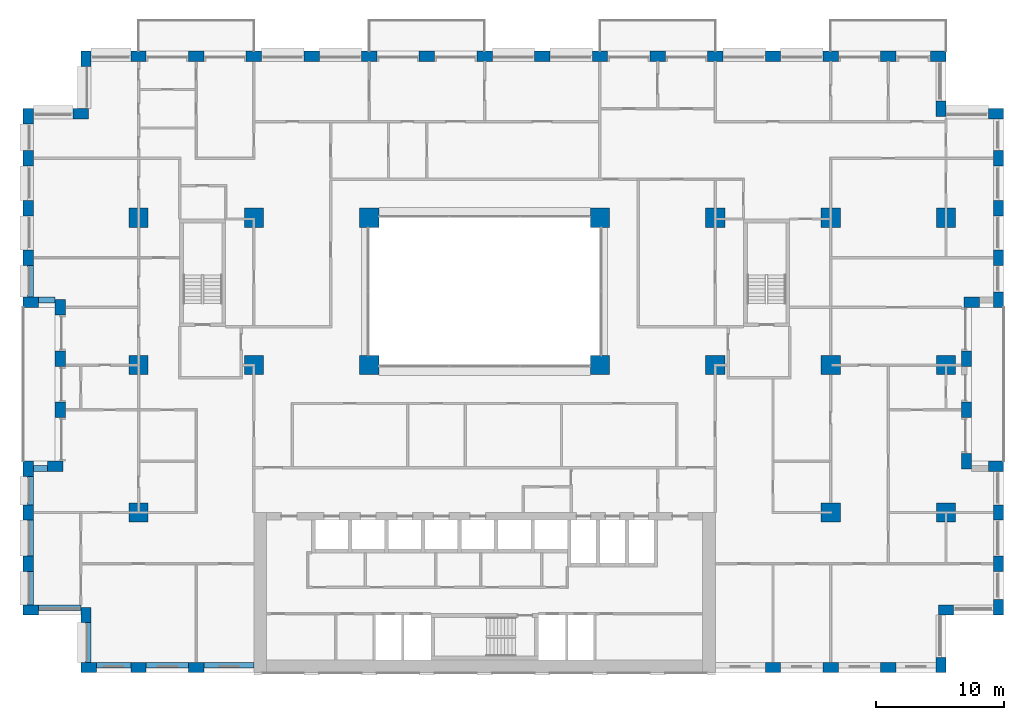
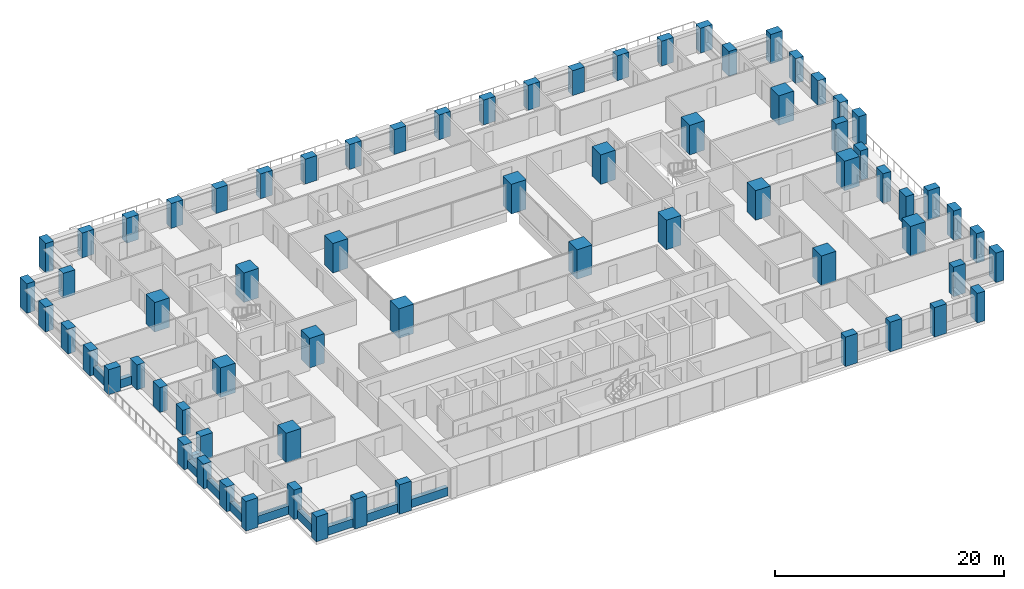
# One storey, part 1 of 20: 70 columns, 11 beams.
"""IFC4 building model written with IfcOpenShell, lengths in metres."""

from ifc_helpers import new_model, si_unit, direction, frame, origin, origin_2d, place, context, subcontext, project, spatial, rectangle, extrude, material, material_profile, profile_set, type_object, element, save


model = new_model("IFC4")

# Units and contexts
model_context = context("Model", 3, precision=1e-05, world=origin(), true_north=direction((0.0, 1.0)))
body_context = subcontext(model_context, "Body", "Model", "MODEL_VIEW")
ifc_project = project(units=[si_unit("LENGTHUNIT", "METRE"), si_unit("AREAUNIT", "SQUARE_METRE"), si_unit("VOLUMEUNIT", "CUBIC_METRE"), si_unit("PLANEANGLEUNIT", "RADIAN"), si_unit("MASSUNIT", "GRAM", prefix="KILO")], contexts=[model_context])

# Site, building, storey
site_placement = place(None, origin())
site = spatial("IfcSite", under=ifc_project, at=site_placement, CompositionType="ELEMENT")
building_placement = place(site_placement, origin())
building = spatial("IfcBuilding", under=site, at=building_placement, Name="Brigalow Station Residences", CompositionType="ELEMENT")
storey_placement = place(building_placement, frame((0.0, 0.0, 69.89990234375)))
storey = spatial("IfcBuildingStorey", under=building, at=storey_placement, Name="L20", CompositionType="ELEMENT", Elevation=69.89990234375)

# Columns
ifc_material_1 = material(Name="Concrete C80", Category="concrete")
ifc_material_profile_1 = material_profile(ifc_material_1, rectangle(XDim=1.5, YDim=1.5, at=origin_2d()), Name="RC1500x1500")
ifc_profile_set_1 = profile_set([ifc_material_profile_1], Name="Concrete C80")
column_type_1 = type_object("IfcColumnType", Name="COLUMN 1500x1500 C80", PredefinedType="COLUMN", material=ifc_profile_set_1)
for number, where, z_axis, x_axis, name in (
    (1, (9.0, 24.0, 0.0), (0.0, 0.0, 1.0), (1.0, 0.0, 0.0), "COLUMN C1 L20"),
    (2, (18.0, 24.0, 0.0), (0.0, 0.0, 1.0), (1.0, 0.0, 0.0), "COLUMN C2 L20"),
    (3, (27.0, 24.0, 0.0), (0.0, 0.0, 1.0), (1.0, 0.0, 0.0), "COLUMN C3 L20"),
    (4, (45.0, 24.0, 0.0), (0.0, 0.0, 1.0), (1.0, 0.0, 0.0), "COLUMN C5 L20"),
    (5, (54.0, 24.0, 0.0), (0.0, 0.0, 1.0), (1.0, 0.0, 0.0), "COLUMN C6 L20"),
    (6, (63.0, 24.0, 0.0), (0.0, 0.0, 1.0), (1.0, 0.0, 0.0), "COLUMN C7 L20"),
    (7, (72.0, 24.0, 0.0), (0.0, 0.0, 1.0), (1.0, 0.0, 0.0), "COLUMN C8 L20"),
    (8, (9.0, 35.5, 0.0), (0.0, 0.0, 1.0), (1.0, 0.0, 0.0), "COLUMN D1 L20"),
    (9, (18.0, 35.5, 0.0), (0.0, 0.0, 1.0), (1.0, 0.0, 0.0), "COLUMN D2 L20"),
    (10, (27.0, 35.5, 0.0), (0.0, 0.0, 1.0), (1.0, 0.0, 0.0), "COLUMN D3 L20"),
    (11, (45.0, 35.5, 0.0), (0.0, 0.0, 1.0), (1.0, 0.0, 0.0), "COLUMN D5 L20"),
    (12, (54.0, 35.5, 0.0), (0.0, 0.0, 1.0), (1.0, 0.0, 0.0), "COLUMN D6 L20"),
    (13, (63.0, 35.5, 0.0), (0.0, 0.0, 1.0), (1.0, 0.0, 0.0), "COLUMN D7 L20"),
    (14, (72.0, 35.5, 0.0), (0.0, 0.0, 1.0), (1.0, 0.0, 0.0), "COLUMN D8 L20"),
    (15, (9.0, 12.5, 0.0), (0.0, 0.0, 1.0), (1.0, 0.0, 0.0), "COLUMN B1 L20"),
    (16, (63.0, 12.5, 0.0), (0.0, 0.0, 1.0), (1.0, 0.0, 0.0), "COLUMN B7 L20"),
    (17, (72.0, 12.5, 0.0), (0.0, 0.0, 1.0), (1.0, 0.0, 0.0), "COLUMN B8 L20"),
):
    element("IfcColumn", number, at=place(storey_placement, frame(where, z_axis=z_axis, x_axis=x_axis)), inside=storey, type_object=column_type_1, Name=name, PredefinedType="COLUMN", context=body_context, shape_type="SweptSolid", body=[
        extrude(rectangle(XDim=1.5, YDim=1.5, at=origin_2d()), origin(), (0.0, 0.0, 1.0), 3.150146484375),
    ])
ifc_material_2 = material(Name="Concrete C80", Category="concrete")
ifc_material_profile_2 = material_profile(ifc_material_2, rectangle(XDim=1.199951171875, YDim=0.800048828125, at=origin_2d()), Name="RC1200x800")
ifc_profile_set_2 = profile_set([ifc_material_profile_2], Name="Concrete C80")
column_type_2 = type_object("IfcColumnType", Name="PIER 1200x800 C80", PredefinedType="USERDEFINED", material=ifc_profile_set_2)
for number, where, z_axis, x_axis, name in (
    (18, (9.0, 0.39990234375, 0.0), (0.0, 0.0, 1.0), (1.0, 0.0, 0.0), "PIER S-2 L20"),
    (19, (13.5, 0.39990234375, 0.0), (0.0, 0.0, 1.0), (1.0, 0.0, 0.0), "PIER S-3 L20"),
    (20, (58.5, 0.39990234375, 0.0), (0.0, 0.0, 1.0), (1.0, 0.0, 0.0), "PIER S-13 L20"),
    (21, (63.0, 0.39990234375, 0.0), (0.0, 0.0, 1.0), (1.0, 0.0, 0.0), "PIER S-14 L20"),
    (22, (67.5, 0.39990234375, 0.0), (0.0, 0.0, 1.0), (1.0, 0.0, 0.0), "PIER S-15 L20"),
    (23, (71.60009765625, 0.60009765625, 0.0), (0.0, 0.0, 1.0), (0.0, 1.0, 0.0), "PIER SE1-1 L20"),
    (24, (72.0, 4.89990234375, 0.0), (0.0, 0.0, 1.0), (1.0, 0.0, 0.0), "PIER SE2-1 L20"),
    (25, (76.10009765625, 5.10009765625, 0.0), (0.0, 0.0, 1.0), (0.0, 1.0, 0.0), "PIER E1-1 L20"),
    (26, (76.10009765625, 8.5, 0.0), (0.0, 0.0, 1.0), (0.0, 1.0, 0.0), "PIER E1-2 L20"),
    (27, (76.10009765625, 12.5, 0.0), (0.0, 0.0, 1.0), (0.0, 1.0, 0.0), "PIER E1-3 L20"),
    (28, (75.89990234375, 16.10009765625, 0.0), (0.0, 0.0, 1.0), (-1.0, 0.0, 0.0), "PIER EL1-1 L20"),
    (29, (73.60009765625, 16.5, 0.0), (0.0, 0.0, 1.0), (0.0, 1.0, 0.0), "PIER EL2-1 L20"),
    (30, (73.60009765625, 20.5, 0.0), (0.0, 0.0, 1.0), (0.0, 1.0, 0.0), "PIER EL2-2 L20"),
    (31, (73.60009765625, 24.5, 0.0), (0.0, 0.0, 1.0), (0.0, 1.0, 0.0), "PIER EL2-3 L20"),
    (32, (74.0, 28.89990234375, 0.0), (0.0, 0.0, 1.0), (1.0, 0.0, 0.0), "PIER EL3-1 L20"),
    (33, (76.10009765625, 29.10009765625, 0.0), (0.0, 0.0, 1.0), (0.0, 1.0, 0.0), "PIER E2-1 L20"),
    (34, (75.89990234375, 43.60009765625, 0.0), (0.0, 0.0, 1.0), (-1.0, 0.0, 0.0), "PIER NE1-1 L20"),
    (35, (4.89990234375, 47.89990234375, 0.0), (0.0, 0.0, 1.0), (0.0, -1.0, 0.0), "PIER NW1-1 L20"),
    (36, (0.39990234375, 43.39990234375, 0.0), (0.0, 0.0, 1.0), (0.0, -1.0, 0.0), "PIER W2-1 L20"),
    (37, (0.60009765625, 4.89990234375, 0.0), (0.0, 0.0, 1.0), (1.0, 0.0, 0.0), "PIER SW1-1 L20"),
    (38, (4.89990234375, 4.5, 0.0), (0.0, 0.0, 1.0), (0.0, -1.0, 0.0), "PIER SW2-1 L20"),
):
    element("IfcColumn", number, at=place(storey_placement, frame(where, z_axis=z_axis, x_axis=x_axis)), inside=storey, type_object=column_type_2, Name=name, ObjectType="PIER", PredefinedType="USERDEFINED", context=body_context, shape_type="SweptSolid", body=[
        extrude(rectangle(XDim=1.199951171875, YDim=0.800048828125, at=origin_2d()), origin(), (0.0, 0.0, 1.0), 3.150146484375),
    ])
ifc_material_3 = material(Name="Concrete C80", Category="concrete")
ifc_material_profile_3 = material_profile(ifc_material_3, rectangle(XDim=1.199951171875, YDim=0.800048828125, at=origin_2d()), Name="RC1200x800")
ifc_profile_set_3 = profile_set([ifc_material_profile_3], Name="Concrete C80")
column_type_3 = type_object("IfcColumnType", Name="PIER UNDER KINK 1200x800 C80", PredefinedType="USERDEFINED", material=ifc_profile_set_3)
for number, where, z_axis, x_axis, name in (
    (39, (5.10009765625, 0.39990234375, 0.0), (0.0, 0.0, 1.0), (1.0, 0.0, 0.0), "PIER S-1 L20"),
    (40, (76.10009765625, 32.375, 0.0), (0.0, 0.0, 1.0), (0.0, 1.0, 0.0), "PIER E2-2 L20"),
    (41, (76.10009765625, 36.25, 0.0), (0.0, 0.0, 1.0), (0.0, 1.0, 0.0), "PIER E2-3 L20"),
    (42, (76.10009765625, 40.125, 0.0), (0.0, 0.0, 1.0), (0.0, 1.0, 0.0), "PIER E2-4 L20"),
    (43, (71.60009765625, 44.0, 0.0), (0.0, 0.0, 1.0), (0.0, 1.0, 0.0), "PIER NE2-1 L20"),
    (44, (71.39990234375, 48.10009765625, 0.0), (0.0, 0.0, 1.0), (-1.0, 0.0, 0.0), "PIER N-1 L20"),
    (45, (67.5, 48.10009765625, 0.0), (0.0, 0.0, 1.0), (-1.0, 0.0, 0.0), "PIER N-2 L20"),
    (46, (63.0, 48.10009765625, 0.0), (0.0, 0.0, 1.0), (-1.0, 0.0, 0.0), "PIER N-3 L20"),
    (47, (58.5, 48.10009765625, 0.0), (0.0, 0.0, 1.0), (-1.0, 0.0, 0.0), "PIER N-4 L20"),
    (48, (54.0, 48.10009765625, 0.0), (0.0, 0.0, 1.0), (-1.0, 0.0, 0.0), "PIER N-5 L20"),
    (49, (49.5, 48.10009765625, 0.0), (0.0, 0.0, 1.0), (-1.0, 0.0, 0.0), "PIER N-6 L20"),
    (50, (45.0, 48.10009765625, 0.0), (0.0, 0.0, 1.0), (-1.0, 0.0, 0.0), "PIER N-7 L20"),
    (51, (40.5, 48.10009765625, 0.0), (0.0, 0.0, 1.0), (-1.0, 0.0, 0.0), "PIER N-8 L20"),
    (52, (36.0, 48.10009765625, 0.0), (0.0, 0.0, 1.0), (-1.0, 0.0, 0.0), "PIER N-9 L20"),
    (53, (31.5, 48.10009765625, 0.0), (0.0, 0.0, 1.0), (-1.0, 0.0, 0.0), "PIER N-10 L20"),
    (54, (27.0, 48.10009765625, 0.0), (0.0, 0.0, 1.0), (-1.0, 0.0, 0.0), "PIER N-11 L20"),
    (55, (22.5, 48.10009765625, 0.0), (0.0, 0.0, 1.0), (-1.0, 0.0, 0.0), "PIER N-12 L20"),
    (56, (18.0, 48.10009765625, 0.0), (0.0, 0.0, 1.0), (-1.0, 0.0, 0.0), "PIER N-13 L20"),
    (57, (13.5, 48.10009765625, 0.0), (0.0, 0.0, 1.0), (-1.0, 0.0, 0.0), "PIER N-14 L20"),
    (58, (9.0, 48.10009765625, 0.0), (0.0, 0.0, 1.0), (-1.0, 0.0, 0.0), "PIER N-15 L20"),
    (59, (4.5, 43.60009765625, 0.0), (0.0, 0.0, 1.0), (-1.0, 0.0, 0.0), "PIER NW2-1 L20"),
    (60, (0.39990234375, 40.125, 0.0), (0.0, 0.0, 1.0), (0.0, -1.0, 0.0), "PIER W2-2 L20"),
    (61, (0.39990234375, 36.25, 0.0), (0.0, 0.0, 1.0), (0.0, -1.0, 0.0), "PIER W2-3 L20"),
    (62, (0.39990234375, 32.375, 0.0), (0.0, 0.0, 1.0), (0.0, -1.0, 0.0), "PIER W2-4 L20"),
    (63, (0.60009765625, 28.89990234375, 0.0), (0.0, 0.0, 1.0), (1.0, 0.0, 0.0), "PIER WL1-1 L20"),
    (64, (2.89990234375, 28.5, 0.0), (0.0, 0.0, 1.0), (0.0, -1.0, 0.0), "PIER WL2-1 L20"),
    (65, (2.89990234375, 24.5, 0.0), (0.0, 0.0, 1.0), (0.0, -1.0, 0.0), "PIER WL2-2 L20"),
    (66, (2.89990234375, 20.5, 0.0), (0.0, 0.0, 1.0), (0.0, -1.0, 0.0), "PIER WL2-3 L20"),
    (67, (2.5, 16.10009765625, 0.0), (0.0, 0.0, 1.0), (-1.0, 0.0, 0.0), "PIER WL3-1 L20"),
    (68, (0.39990234375, 15.89990234375, 0.0), (0.0, 0.0, 1.0), (0.0, -1.0, 0.0), "PIER W1-1 L20"),
    (69, (0.39990234375, 12.5, 0.0), (0.0, 0.0, 1.0), (0.0, -1.0, 0.0), "PIER W1-2 L20"),
    (70, (0.39990234375, 8.5, 0.0), (0.0, 0.0, 1.0), (0.0, -1.0, 0.0), "PIER W1-3 L20"),
):
    element("IfcColumn", number, at=place(storey_placement, frame(where, z_axis=z_axis, x_axis=x_axis)), inside=storey, type_object=column_type_3, Name=name, ObjectType="PIER", PredefinedType="USERDEFINED", context=body_context, shape_type="SweptSolid", body=[
        extrude(rectangle(XDim=1.199951171875, YDim=0.800048828125, at=origin_2d()), origin(), (0.0, 0.0, 1.0), 2.650146484375),
    ])

# Beams
ifc_material_4 = material(Name="Concrete C65", Category="concrete")
ifc_material_profile_4 = material_profile(ifc_material_4, rectangle(XDim=0.449951171875, YDim=0.89990234375, at=origin_2d()), Name="RC450x900")
ifc_profile_set_4 = profile_set([ifc_material_profile_4], Name="Concrete C65")
beam_type = type_object("IfcBeamType", Name="SPANDREL BEAM 450x900 C65", PredefinedType="SPANDREL", material=ifc_profile_set_4)
beam_1_placement = place(storey_placement, frame((5.699951171875, 0.574951171875, 0.4501953125), z_axis=(1.0, 0.0, 0.0), x_axis=(0.0, 1.0, 0.0)))
element("IfcBeam", 71, at=beam_1_placement, inside=storey, type_object=beam_type, Name="L20/spandrel/W-L20-1", PredefinedType="SPANDREL", context=body_context, shape_type="SweptSolid", body=[
    extrude(rectangle(XDim=0.449951171875, YDim=0.89990234375, at=origin_2d()), origin(), (0.0, 0.0, 1.0), 2.699951171875),
])
beam_2_placement = place(storey_placement, frame((9.60009765625, 0.574951171875, 0.4501953125), z_axis=(1.0, 0.0, 0.0), x_axis=(0.0, 1.0, 0.0)))
element("IfcBeam", 72, at=beam_2_placement, inside=storey, type_object=beam_type, Name="L20/spandrel/W-L20-2", PredefinedType="SPANDREL", context=body_context, shape_type="SweptSolid", body=[
    extrude(rectangle(XDim=0.449951171875, YDim=0.89990234375, at=origin_2d()), origin(), (0.0, 0.0, 1.0), 3.2998046875),
])
beam_3_placement = place(storey_placement, frame((14.10009765625, 0.574951171875, 0.4501953125), z_axis=(1.0, 0.0, 0.0), x_axis=(0.0, 1.0, 0.0)))
element("IfcBeam", 73, at=beam_3_placement, inside=storey, type_object=beam_type, Name="L20/spandrel/W-L20-3", PredefinedType="SPANDREL", context=body_context, shape_type="SweptSolid", body=[
    extrude(rectangle(XDim=0.449951171875, YDim=0.89990234375, at=origin_2d()), origin(), (0.0, 0.0, 1.0), 3.89990234375),
])
beam_4_placement = place(storey_placement, frame((0.574951171875, 31.77490234375, 0.4501953125), z_axis=(0.0, -1.0, 0.0), x_axis=(1.0, 0.0, 0.0)))
element("IfcBeam", 74, at=beam_4_placement, inside=storey, type_object=beam_type, Name="L20/spandrel/W-L20-45", PredefinedType="SPANDREL", context=body_context, shape_type="SweptSolid", body=[
    extrude(rectangle(XDim=0.449951171875, YDim=0.89990234375, at=origin_2d()), origin(), (0.0, 0.0, 1.0), 2.474853515625),
])
beam_5_placement = place(storey_placement, frame((1.199951171875, 29.074951171875, 0.4501953125), z_axis=(1.0, 0.0, 0.0), x_axis=(0.0, 1.0, 0.0)))
element("IfcBeam", 75, at=beam_5_placement, inside=storey, type_object=beam_type, Name="L20/spandrel/W-L20-46", PredefinedType="SPANDREL", context=body_context, shape_type="SweptSolid", body=[
    extrude(rectangle(XDim=0.449951171875, YDim=0.89990234375, at=origin_2d()), origin(), (0.0, 0.0, 1.0), 1.300048828125),
])
beam_6_placement = place(storey_placement, frame((1.89990234375, 15.925048828125, 0.4501953125), z_axis=(-1.0, 0.0, 0.0), x_axis=(0.0, -1.0, 0.0)))
element("IfcBeam", 76, at=beam_6_placement, inside=storey, type_object=beam_type, Name="L20/spandrel/W-L20-50", PredefinedType="SPANDREL", context=body_context, shape_type="SweptSolid", body=[
    extrude(rectangle(XDim=0.449951171875, YDim=0.89990234375, at=origin_2d()), origin(), (0.0, 0.0, 1.0), 1.099853515625),
])
beam_7_placement = place(storey_placement, frame((0.574951171875, 15.300048828125, 0.4501953125), z_axis=(0.0, -1.0, 0.0), x_axis=(1.0, 0.0, 0.0)))
element("IfcBeam", 77, at=beam_7_placement, inside=storey, type_object=beam_type, Name="L20/spandrel/W-L20-51", PredefinedType="SPANDREL", context=body_context, shape_type="SweptSolid", body=[
    extrude(rectangle(XDim=0.449951171875, YDim=0.89990234375, at=origin_2d()), origin(), (0.0, 0.0, 1.0), 2.199951171875),
])
beam_8_placement = place(storey_placement, frame((0.574951171875, 11.89990234375, 0.4501953125), z_axis=(0.0, -1.0, 0.0), x_axis=(1.0, 0.0, 0.0)))
element("IfcBeam", 78, at=beam_8_placement, inside=storey, type_object=beam_type, Name="L20/spandrel/W-L20-52", PredefinedType="SPANDREL", context=body_context, shape_type="SweptSolid", body=[
    extrude(rectangle(XDim=0.449951171875, YDim=0.89990234375, at=origin_2d()), origin(), (0.0, 0.0, 1.0), 2.7998046875),
])
beam_9_placement = place(storey_placement, frame((0.574951171875, 7.89990234375, 0.4501953125), z_axis=(0.0, -1.0, 0.0), x_axis=(1.0, 0.0, 0.0)))
element("IfcBeam", 79, at=beam_9_placement, inside=storey, type_object=beam_type, Name="L20/spandrel/W-L20-53", PredefinedType="SPANDREL", context=body_context, shape_type="SweptSolid", body=[
    extrude(rectangle(XDim=0.449951171875, YDim=0.89990234375, at=origin_2d()), origin(), (0.0, 0.0, 1.0), 2.599853515625),
])
beam_10_placement = place(storey_placement, frame((1.199951171875, 5.074951171875, 0.4501953125), z_axis=(1.0, 0.0, 0.0), x_axis=(0.0, 1.0, 0.0)))
element("IfcBeam", 80, at=beam_10_placement, inside=storey, type_object=beam_type, Name="L20/spandrel/W-L20-54", PredefinedType="SPANDREL", context=body_context, shape_type="SweptSolid", body=[
    extrude(rectangle(XDim=0.449951171875, YDim=0.89990234375, at=origin_2d()), origin(), (0.0, 0.0, 1.0), 3.300048828125),
])
beam_11_placement = place(storey_placement, frame((5.074951171875, 3.89990234375, 0.4501953125), z_axis=(0.0, -1.0, 0.0), x_axis=(1.0, 0.0, 0.0)))
element("IfcBeam", 81, at=beam_11_placement, inside=storey, type_object=beam_type, Name="L20/spandrel/W-L20-55", PredefinedType="SPANDREL", context=body_context, shape_type="SweptSolid", body=[
    extrude(rectangle(XDim=0.449951171875, YDim=0.89990234375, at=origin_2d()), origin(), (0.0, 0.0, 1.0), 3.099853515625),
])

save(model, "model.ifc")
